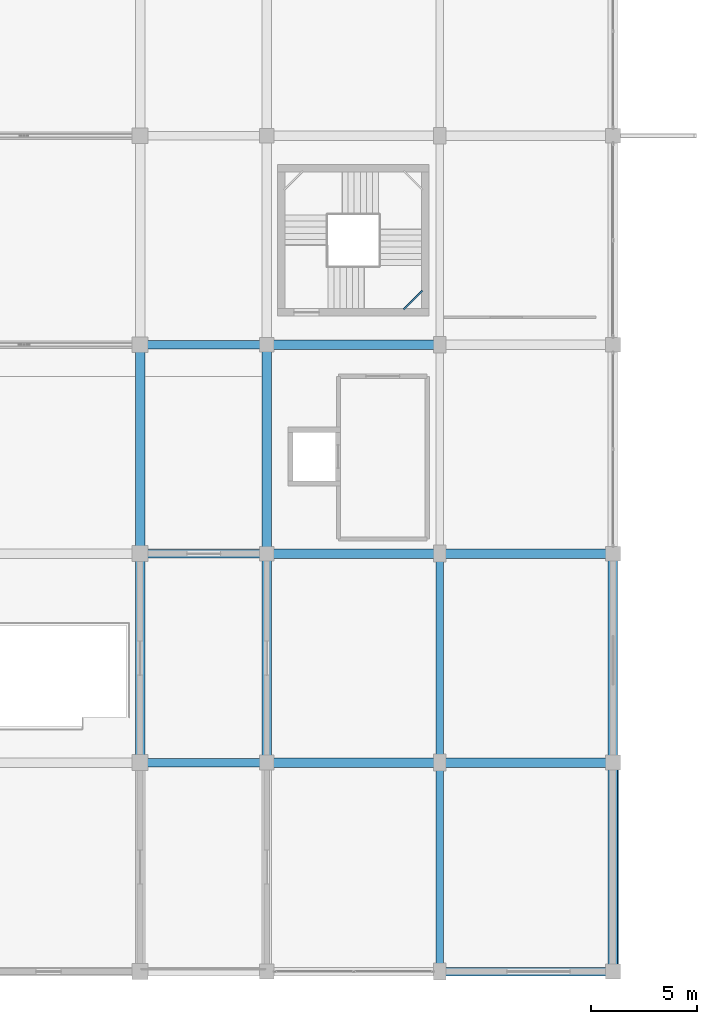
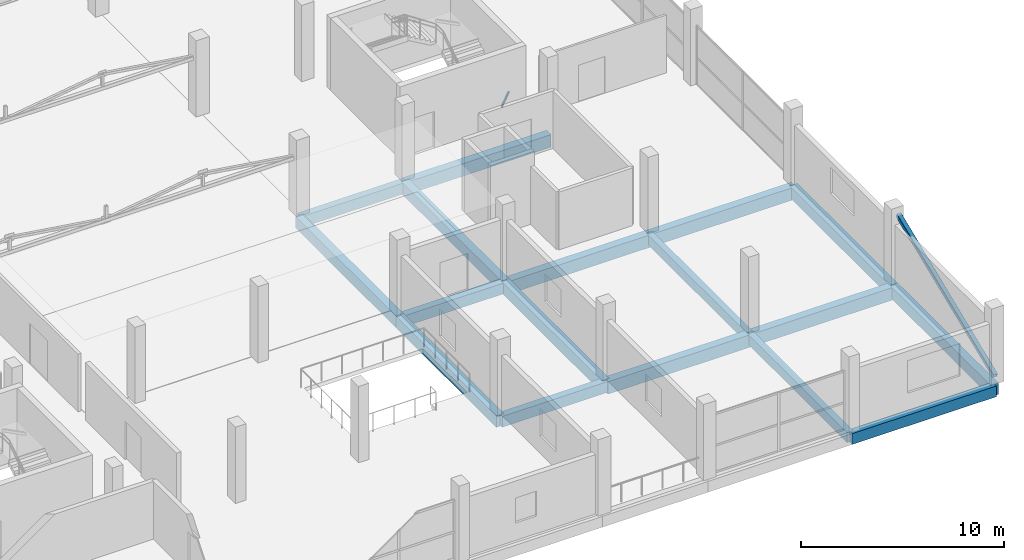
# One storey, part 11 of 49: 18 beams, 1 member.
"""IFC4 building model written with IfcOpenShell, lengths in metres."""

from ifc_helpers import new_model, si_unit, direction, frame, origin, origin_2d, place, context, subcontext, project, spatial, rectangle, hollow_rectangle, extrude, material, material_profile, profile_set, type_object, element, save


model = new_model("IFC4")

# Units and contexts
model_context = context("Model", 3, precision=1e-05, world=origin(), true_north=direction((0.0, 1.0)))
body_context = subcontext(model_context, "Body", "Model", "MODEL_VIEW")
ifc_project = project(units=[si_unit("LENGTHUNIT", "METRE"), si_unit("AREAUNIT", "SQUARE_METRE"), si_unit("VOLUMEUNIT", "CUBIC_METRE"), si_unit("PLANEANGLEUNIT", "RADIAN"), si_unit("MASSUNIT", "GRAM", prefix="KILO")], contexts=[model_context])

# Site, building, storey
site_placement = place(None, origin())
site = spatial("IfcSite", under=ifc_project, at=site_placement, CompositionType="ELEMENT")
building_placement = place(site_placement, origin())
building = spatial("IfcBuilding", under=site, at=building_placement, Name="Sillaruma Civic Art Gallery", CompositionType="ELEMENT")
storey_placement = place(building_placement, frame((0.0, 0.0, 33.14990234375)))
storey = spatial("IfcBuildingStorey", under=building, at=storey_placement, Name="L06", CompositionType="ELEMENT", Elevation=33.14990234375)

# Beams
ifc_material_1 = material(Name="Concrete H35 (35 MPa)", Category="concrete")
ifc_material_profile_1 = material_profile(ifc_material_1, rectangle(XDim=0.35009765625, YDim=0.60009765625, at=origin_2d()), Name="RCB350x600")
ifc_profile_set_1 = profile_set([ifc_material_profile_1], Name="Concrete H35 (35 MPa)")
beam_type_1 = type_object("IfcBeamType", Name="BM-BEAM-RCB350x600", PredefinedType="BEAM", material=ifc_profile_set_1)
beam_1_placement = place(storey_placement, frame((106.199951171875, 19.800048828125, -0.539794921875), z_axis=(0.0, 1.0, 0.0), x_axis=(-1.0, 0.0, 0.0)))
element("IfcBeam", 1, at=beam_1_placement, inside=storey, type_object=beam_type_1, Name="Beam BM-06 (L05:M:3-4)", PredefinedType="BEAM", context=body_context, shape_type="SweptSolid", body=[
    extrude(rectangle(XDim=0.35009765625, YDim=0.60009765625, at=origin_2d()), origin(), (0.0, 0.0, 1.0), 9.89990234375),
])
beam_2_placement = place(storey_placement, frame((106.199951171875, 29.699951171875, -0.539794921875), z_axis=(0.0, 1.0, 0.0), x_axis=(-1.0, 0.0, 0.0)))
element("IfcBeam", 2, at=beam_2_placement, inside=storey, type_object=beam_type_1, Name="Beam BM-06 (L05:M:4-5)", PredefinedType="BEAM", context=body_context, shape_type="SweptSolid", body=[
    extrude(rectangle(XDim=0.35009765625, YDim=0.60009765625, at=origin_2d()), origin(), (0.0, 0.0, 1.0), 9.900146484375),
])
ifc_material_profile_2 = material_profile(ifc_material_1, rectangle(XDim=0.39990234375, YDim=0.64990234375, at=origin_2d()), Name="RCB400x650")
ifc_profile_set_2 = profile_set([ifc_material_profile_2], Name="Concrete H35 (35 MPa)")
beam_type_2 = type_object("IfcBeamType", Name="BM-BEAM-RCB400x650", PredefinedType="BEAM", material=ifc_profile_set_2)
for number, where, z_axis, x_axis, name in (
    (3, (92.0, 29.699951171875, -0.56494140625), (1.0, 0.0, 0.0), (0.0, 1.0, 0.0), "Beam BM-05 (L05:4:K-L)"),
    (4, (92.0, 39.60009765625, -0.56494140625), (1.0, 0.0, 0.0), (0.0, 1.0, 0.0), "Beam BM-05 (L05:5:K-L)"),
    (5, (92.0, 49.5, -0.56494140625), (1.0, 0.0, 0.0), (0.0, 1.0, 0.0), "Beam BM-05 (L05:6:K-L)"),
):
    element("IfcBeam", number, at=place(storey_placement, frame(where, z_axis=z_axis, x_axis=x_axis)), inside=storey, type_object=beam_type_2, Name=name, PredefinedType="BEAM", context=body_context, shape_type="SweptSolid", body=[
        extrude(rectangle(XDim=0.39990234375, YDim=0.64990234375, at=origin_2d()), origin(), (0.0, 0.0, 1.0), 6.0),
    ])
ifc_material_2 = material(Name="Concrete H40 (40 MPa)", Category="concrete")
ifc_material_profile_3 = material_profile(ifc_material_2, rectangle(XDim=0.449951171875, YDim=0.75, at=origin_2d()), Name="RCB450x750")
ifc_profile_set_3 = profile_set([ifc_material_profile_3], Name="Concrete H40 (40 MPa)")
beam_type_3 = type_object("IfcBeamType", Name="BM-BEAM-RCB450x750", PredefinedType="BEAM", material=ifc_profile_set_3)
for number, where, z_axis, x_axis, name in (
    (6, (98.0, 29.699951171875, -0.614990234375), (1.0, 0.0, 0.0), (0.0, 1.0, 0.0), "Beam BM-03 (L05:4:L-M)"),
    (7, (106.199951171875, 29.699951171875, -0.614990234375), (1.0, 0.0, 0.0), (0.0, 1.0, 0.0), "Beam BM-03 (L05:4:M-N)"),
    (8, (98.0, 39.60009765625, -0.614990234375), (1.0, 0.0, 0.0), (0.0, 1.0, 0.0), "Beam BM-03 (L05:5:L-M)"),
    (9, (106.199951171875, 39.60009765625, -0.614990234375), (1.0, 0.0, 0.0), (0.0, 1.0, 0.0), "Beam BM-03 (L05:5:M-N)"),
    (10, (98.0, 49.5, -0.614990234375), (1.0, 0.0, 0.0), (0.0, 1.0, 0.0), "Beam BM-03 (L05:6:L-M)"),
):
    element("IfcBeam", number, at=place(storey_placement, frame(where, z_axis=z_axis, x_axis=x_axis)), inside=storey, type_object=beam_type_3, Name=name, PredefinedType="BEAM", context=body_context, shape_type="SweptSolid", body=[
        extrude(rectangle(XDim=0.449951171875, YDim=0.75, at=origin_2d()), origin(), (0.0, 0.0, 1.0), 8.199951171875),
    ])
ifc_material_3 = material(Name="Structural Steel ASTM A500 Gr.C", Category="steel")
ifc_material_profile_4 = material_profile(ifc_material_3, hollow_rectangle(XDim=0.080078125, YDim=0.159912109375, WallThickness=0.008056640625, InnerFilletRadius=0.008056640625, OuterFilletRadius=0.01611328125, at=origin_2d()), Name="HSS160x80x8")
ifc_profile_set_4 = profile_set([ifc_material_profile_4], Name="Structural Steel ASTM A500 Gr.C")
beam_type_4 = type_object("IfcBeamType", Name="BM-LND-HSS160", PredefinedType="BEAM", material=ifc_profile_set_4)
beam_3_placement = place(storey_placement, frame((104.489990234375, 51.169921875, 0.91015625), z_axis=(0.707009791025, 0.707203758046, 0.0), x_axis=(-0.707203758046, 0.707009791025, 0.0)))
element("IfcBeam", 11, at=beam_3_placement, inside=storey, type_object=beam_type_4, Name="Stair Corner Landing Trimmer Beam (ST-04-L06-1)", PredefinedType="BEAM", context=body_context, shape_type="SweptSolid", body=[
    extrude(hollow_rectangle(XDim=0.080078125, YDim=0.159912109375, WallThickness=0.008056640625, InnerFilletRadius=0.008056640625, OuterFilletRadius=0.01611328125, at=origin_2d()), origin(), (0.0, 0.0, 1.0), 1.2587890625),
])
ifc_material_profile_5 = material_profile(ifc_material_1, rectangle(XDim=0.39990234375, YDim=0.64990234375, at=origin_2d()), Name="RCB400x650")
ifc_profile_set_5 = profile_set([ifc_material_profile_5], Name="Concrete H35 (35 MPa)")
beam_type_5 = type_object("IfcBeamType", Name="BM-SPANDREL-RCB400x650", PredefinedType="SPANDREL", material=ifc_profile_set_5)
beam_4_placement = place(storey_placement, frame((106.199951171875, 19.800048828125, -0.56494140625), z_axis=(1.0, 0.0, 0.0), x_axis=(0.0, 1.0, 0.0)))
element("IfcBeam", 12, at=beam_4_placement, inside=storey, type_object=beam_type_5, Name="Beam BS-02 (L05:3:M-N)", PredefinedType="SPANDREL", context=body_context, shape_type="SweptSolid", body=[
    extrude(rectangle(XDim=0.39990234375, YDim=0.64990234375, at=origin_2d()), origin(), (0.0, 0.0, 1.0), 8.199951171875),
])
ifc_material_profile_6 = material_profile(ifc_material_1, rectangle(XDim=0.449951171875, YDim=0.699951171875, at=origin_2d()), Name="RCB450x700")
ifc_profile_set_6 = profile_set([ifc_material_profile_6], Name="Concrete H35 (35 MPa)")
beam_type_6 = type_object("IfcBeamType", Name="BM-SPANDREL-RCB450x700", PredefinedType="SPANDREL", material=ifc_profile_set_6)
beam_5_placement = place(storey_placement, frame((92.0, 29.699951171875, -0.58984375), z_axis=(0.0, 1.0, 0.0), x_axis=(-1.0, 0.0, 0.0)))
element("IfcBeam", 13, at=beam_5_placement, inside=storey, type_object=beam_type_6, Name="Beam BS-03 (L05:K:4-5)", PredefinedType="SPANDREL", context=body_context, shape_type="SweptSolid", body=[
    extrude(rectangle(XDim=0.449951171875, YDim=0.699951171875, at=origin_2d()), origin(), (0.0, 0.0, 1.0), 9.900146484375),
])
beam_6_placement = place(storey_placement, frame((92.0, 39.60009765625, -0.58984375), z_axis=(0.0, 1.0, 0.0), x_axis=(-1.0, 0.0, 0.0)))
element("IfcBeam", 14, at=beam_6_placement, inside=storey, type_object=beam_type_6, Name="Beam BS-03 (L05:K:5-6)", PredefinedType="SPANDREL", context=body_context, shape_type="SweptSolid", body=[
    extrude(rectangle(XDim=0.449951171875, YDim=0.699951171875, at=origin_2d()), origin(), (0.0, 0.0, 1.0), 9.89990234375),
])
beam_7_placement = place(storey_placement, frame((98.0, 29.699951171875, -0.58984375), z_axis=(0.0, 1.0, 0.0), x_axis=(-1.0, 0.0, 0.0)))
element("IfcBeam", 15, at=beam_7_placement, inside=storey, type_object=beam_type_6, Name="Beam BS-03 (L05:L:4-5)", PredefinedType="SPANDREL", context=body_context, shape_type="SweptSolid", body=[
    extrude(rectangle(XDim=0.449951171875, YDim=0.699951171875, at=origin_2d()), origin(), (0.0, 0.0, 1.0), 9.900146484375),
])
for number, where, z_axis, x_axis, name in (
    (16, (98.0, 39.60009765625, -0.58984375), (0.0, 1.0, 0.0), (-1.0, 0.0, 0.0), "Beam BS-03 (L05:L:5-6)"),
    (17, (114.39990234375, 19.800048828125, -0.58984375), (0.0, 1.0, 0.0), (-1.0, 0.0, 0.0), "Beam BS-03 (L05:N:3-4)"),
):
    element("IfcBeam", number, at=place(storey_placement, frame(where, z_axis=z_axis, x_axis=x_axis)), inside=storey, type_object=beam_type_6, Name=name, PredefinedType="SPANDREL", context=body_context, shape_type="SweptSolid", body=[
        extrude(rectangle(XDim=0.449951171875, YDim=0.699951171875, at=origin_2d()), origin(), (0.0, 0.0, 1.0), 9.89990234375),
    ])
beam_8_placement = place(storey_placement, frame((114.39990234375, 29.699951171875, -0.58984375), z_axis=(0.0, 1.0, 0.0), x_axis=(-1.0, 0.0, 0.0)))
element("IfcBeam", 18, at=beam_8_placement, inside=storey, type_object=beam_type_6, Name="Beam BS-03 (L05:N:4-5)", PredefinedType="SPANDREL", context=body_context, shape_type="SweptSolid", body=[
    extrude(rectangle(XDim=0.449951171875, YDim=0.699951171875, at=origin_2d()), origin(), (0.0, 0.0, 1.0), 9.900146484375),
])

# Member
ifc_material_profile_7 = material_profile(ifc_material_3, hollow_rectangle(XDim=0.25, YDim=0.25, WallThickness=0.012451171875, InnerFilletRadius=0.012451171875, OuterFilletRadius=0.02490234375, at=origin_2d()), Name="HSS250x250x12.5")
ifc_profile_set_7 = profile_set([ifc_material_profile_7], Name="Structural Steel ASTM A500 Gr.C")
member_type = type_object("IfcMemberType", Name="MEM-MEGA-BRACE", PredefinedType="BRACE", material=ifc_profile_set_7)
member_placement = place(storey_placement, frame((114.550048828125, 19.97998046875, 0.10009765625), z_axis=(0.0, 0.925643523987, 0.378396705194), x_axis=(-1.0, 0.0, 0.0)))
element("IfcMember", 19, at=member_placement, inside=storey, type_object=member_type, Name="Exterior Expressed Gallery Seismic Diagonal Brace (L06-ES)", PredefinedType="BRACE", context=body_context, shape_type="SweptSolid", body=[
    extrude(hollow_rectangle(XDim=0.25, YDim=0.25, WallThickness=0.012451171875, InnerFilletRadius=0.012451171875, OuterFilletRadius=0.02490234375, at=origin_2d()), origin(), (0.0, 0.0, 1.0), 10.306396484375),
])

save(model, "model.ifc")
